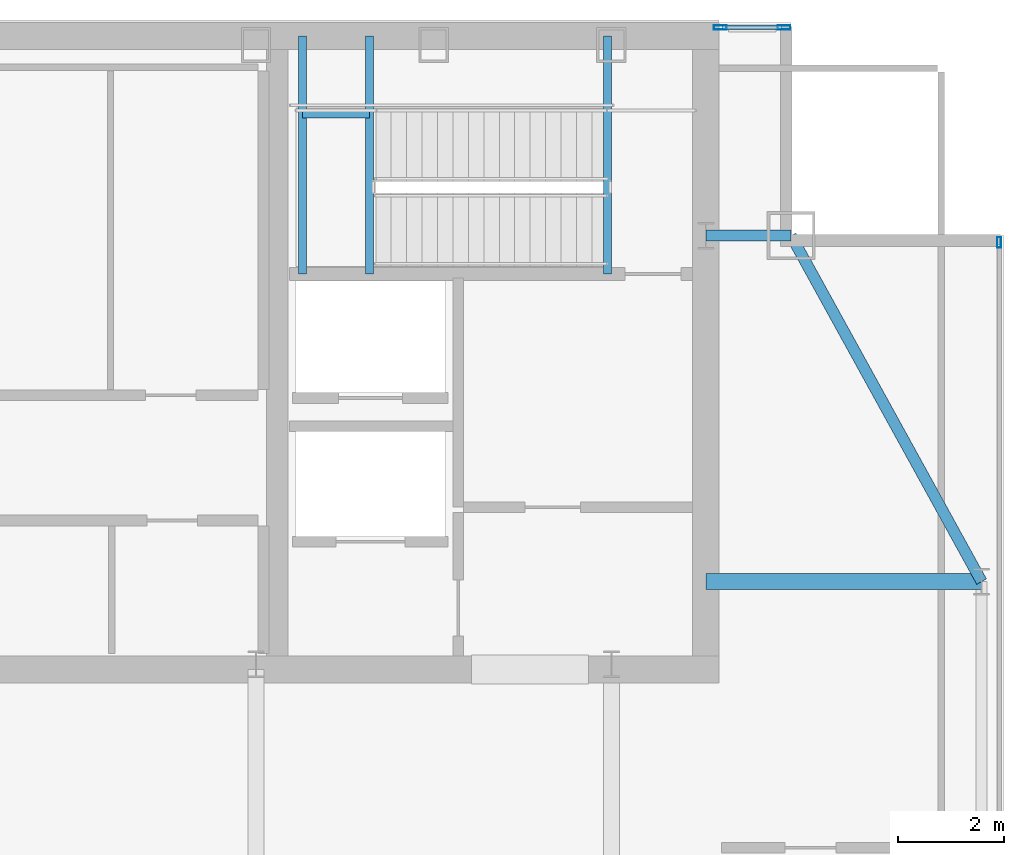
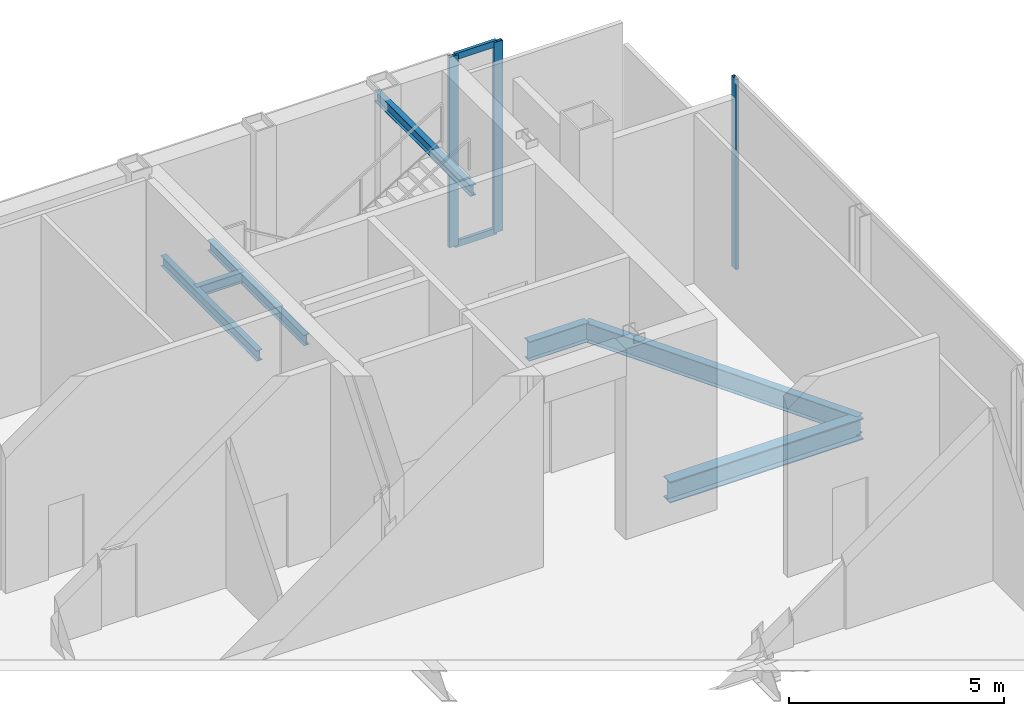
# One storey, part 18 of 23: 7 beams, 5 members, 2 elements without a shape of their own.
"""IFC4 building model written with IfcOpenShell, lengths in metres."""

from ifc_helpers import new_model, si_unit, direction, frame, origin, origin_2d, place, context, subcontext, project, spatial, hollow_rectangle, i_section, extrude, material, material_profile, profile_set, type_object, element, aggregate, save


model = new_model("IFC4")

# Units and contexts
model_context = context("Model", 3, precision=1e-05, world=origin(), true_north=direction((0.0, 1.0)))
body_context = subcontext(model_context, "Body", "Model", "MODEL_VIEW")
ifc_project = project(units=[si_unit("LENGTHUNIT", "METRE"), si_unit("AREAUNIT", "SQUARE_METRE"), si_unit("VOLUMEUNIT", "CUBIC_METRE"), si_unit("PLANEANGLEUNIT", "RADIAN"), si_unit("MASSUNIT", "GRAM", prefix="KILO")], contexts=[model_context])

# Site, building, storey
site_placement = place(None, origin())
site = spatial("IfcSite", under=ifc_project, at=site_placement, CompositionType="ELEMENT")
building_placement = place(site_placement, origin())
building = spatial("IfcBuilding", under=site, at=building_placement, Name="Khoronbel Lancet Exchange", CompositionType="ELEMENT")
storey_placement = place(building_placement, frame((0.0, 0.0, 356.199951171875)))
storey = spatial("IfcBuildingStorey", under=building, at=storey_placement, Name="L92", CompositionType="ELEMENT", Elevation=356.199951171875)

# Beams
ifc_material_1 = material(Name="Steel S355", Category="steel")
ifc_material_profile_1 = material_profile(ifc_material_1, i_section(OverallWidth=0.300048828125, OverallDepth=0.60009765625, WebThickness=0.015380859375, FlangeThickness=0.030029296875, at=origin_2d()), Name="HEB 600")
ifc_profile_set_1 = profile_set([ifc_material_profile_1], Name="Steel S355")
beam_type_1 = type_object("IfcBeamType", Name="BM-BG5", PredefinedType="BEAM", material=ifc_profile_set_1)
beam_1_placement = place(storey_placement, frame((56.449951171875, 43.199951171875, -0.5), z_axis=(1.0, 0.0, 0.0), x_axis=(0.0, 1.0, 0.0)))
element("IfcBeam", 1, at=beam_1_placement, inside=storey, type_object=beam_type_1, Name="Level L92 east lens tie girder LG3E", PredefinedType="BEAM", context=body_context, shape_type="SweptSolid", body=[
    extrude(i_section(OverallWidth=0.300048828125, OverallDepth=0.60009765625, WebThickness=0.015380859375, FlangeThickness=0.030029296875, at=origin_2d()), origin(), (0.0, 0.0, 1.0), 5.179931640625),
])
ifc_material_profile_2 = material_profile(ifc_material_1, i_section(OverallWidth=0.14990234375, OverallDepth=0.300048828125, WebThickness=0.007080078125, FlangeThickness=0.0107421875, at=origin_2d()), Name="IPE 300")
ifc_profile_set_2 = profile_set([ifc_material_profile_2], Name="Steel S355")
beam_type_2 = type_object("IfcBeamType", Name="BM-BJ8", PredefinedType="JOIST", material=ifc_profile_set_2)
for number, where, z_axis, x_axis, name in (
    (2, (50.1298828125, 48.97998046875, 2.449951171875), (0.0, 1.0, 0.0), (-1.0, 0.0, 0.0), "Level L92 stair ST2 landing bearer beam 1"),
    (3, (48.8701171875, 48.97998046875, 2.449951171875), (0.0, 1.0, 0.0), (-1.0, 0.0, 0.0), "Level L92 stair ST2 rear landing bearer beam 1"),
):
    element("IfcBeam", number, at=place(storey_placement, frame(where, z_axis=z_axis, x_axis=x_axis)), inside=storey, type_object=beam_type_2, Name=name, PredefinedType="JOIST", context=body_context, shape_type="SweptSolid", body=[
        extrude(i_section(OverallWidth=0.14990234375, OverallDepth=0.300048828125, WebThickness=0.007080078125, FlangeThickness=0.0107421875, at=origin_2d()), origin(), (0.0, 0.0, 1.0), 4.469970703125),
    ])
beam_2_placement = place(storey_placement, frame((48.8701171875, 51.97998046875, 2.449951171875), z_axis=(1.0, 0.0, 0.0), x_axis=(0.0, 1.0, 0.0)))
element("IfcBeam", 4, at=beam_2_placement, inside=storey, type_object=beam_type_2, Name="Level L92 stair ST2 landing cross trimmer beam 1", PredefinedType="JOIST", context=body_context, shape_type="SweptSolid", body=[
    extrude(i_section(OverallWidth=0.14990234375, OverallDepth=0.300048828125, WebThickness=0.007080078125, FlangeThickness=0.0107421875, at=origin_2d()), origin(), (0.0, 0.0, 1.0), 1.259765625),
])
beam_3_placement = place(storey_placement, frame((54.60009765625, 48.97998046875, 5.1201171875), z_axis=(0.0, 1.0, 0.0), x_axis=(-1.0, 0.0, 0.0)))
element("IfcBeam", 5, at=beam_3_placement, inside=storey, type_object=beam_type_2, Name="Level L92 stair ST2 upper-flight arrival trimmer beam", PredefinedType="JOIST", context=body_context, shape_type="SweptSolid", body=[
    extrude(i_section(OverallWidth=0.14990234375, OverallDepth=0.300048828125, WebThickness=0.007080078125, FlangeThickness=0.0107421875, at=origin_2d()), origin(), (0.0, 0.0, 1.0), 4.469970703125),
])
ifc_material_profile_3 = material_profile(ifc_material_1, i_section(OverallWidth=0.2099609375, OverallDepth=0.550048828125, WebThickness=0.010986328125, FlangeThickness=0.01708984375, at=origin_2d()), Name="IPE 550")
ifc_profile_set_3 = profile_set([ifc_material_profile_3], Name="Steel S355")
beam_type_3 = type_object("IfcBeamType", Name="BM-BSP3", PredefinedType="SPANDREL", material=ifc_profile_set_3)
beam_4_placement = place(storey_placement, frame((61.6298828125, 43.199951171875, -0.474853515625), z_axis=(-0.482418808117, 0.875940690672, 0.0), x_axis=(-0.875940690672, -0.482418808117, 0.0)))
element("IfcBeam", 6, at=beam_4_placement, inside=storey, type_object=beam_type_3, Name="Level L92 perimeter spandrel beam SP13", PredefinedType="SPANDREL", context=body_context, shape_type="SweptSolid", body=[
    extrude(i_section(OverallWidth=0.2099609375, OverallDepth=0.550048828125, WebThickness=0.010986328125, FlangeThickness=0.01708984375, at=origin_2d()), origin(), (0.0, 0.0, 1.0), 7.420654296875),
])
beam_5_placement = place(storey_placement, frame((58.050048828125, 49.699951171875, -0.474853515625), z_axis=(-1.0, 0.0, 0.0), x_axis=(0.0, -1.0, 0.0)))
element("IfcBeam", 7, at=beam_5_placement, inside=storey, type_object=beam_type_3, Name="Level L92 north flank tie spandrel SP21", PredefinedType="SPANDREL", context=body_context, shape_type="SweptSolid", body=[
    extrude(i_section(OverallWidth=0.2099609375, OverallDepth=0.550048828125, WebThickness=0.010986328125, FlangeThickness=0.01708984375, at=origin_2d()), origin(), (0.0, 0.0, 1.0), 1.60009765625),
])

# Curtain wall, members
ifc_material_2 = material(Name="Low-E Solar Control Insulating Glass", Category="glass")
curtain_wall_type = type_object("IfcCurtainWallType", Name="CW-6", PredefinedType="NOTDEFINED", material=ifc_material_2)
curtain_wall_1_placement = place(storey_placement, origin())
curtain_wall_1 = element("IfcCurtainWall", 8, at=curtain_wall_1_placement, inside=storey, type_object=curtain_wall_type, Name="Unitised curtain wall CW-L92-NEFLK", PredefinedType="NOTDEFINED")
ifc_material_3 = material(Name="Bronze-Anodised Aluminium 6063-T6", Category="aluminium")
ifc_material_profile_4 = material_profile(ifc_material_3, hollow_rectangle(XDim=0.0849609375, YDim=0.239990234375, WallThickness=0.006103515625, at=origin_2d()), Name="ALU MULLION 85x240")
ifc_profile_set_4 = profile_set([ifc_material_profile_4], Name="Bronze-Anodised Aluminium 6063-T6")
member_type_1 = type_object("IfcMemberType", Name="MEM-CWM1", PredefinedType="MULLION", material=ifc_profile_set_4)
member_1_placement = place(storey_placement, frame((57.91748046875, 53.610107421875, 0.0), z_axis=(0.0, 0.0, 1.0), x_axis=(0.0, -1.0, 0.0)))
member_1 = element("IfcMember", 9, at=member_1_placement, type_object=member_type_1, Name="CW6 mullion 1", PredefinedType="MULLION", context=body_context, shape_type="SweptSolid", body=[
    extrude(hollow_rectangle(XDim=0.0849609375, YDim=0.239990234375, WallThickness=0.006103515625, at=origin_2d()), origin(), (0.0, 0.0, 1.0), 5.400146484375),
])
member_2_placement = place(storey_placement, frame((56.722412109375, 53.610107421875, 0.0), z_axis=(0.0, 0.0, 1.0), x_axis=(0.0, -1.0, 0.0)))
member_2 = element("IfcMember", 10, at=member_2_placement, type_object=member_type_1, Name="CW6 mullion 2", PredefinedType="MULLION", context=body_context, shape_type="SweptSolid", body=[
    extrude(hollow_rectangle(XDim=0.0849609375, YDim=0.239990234375, WallThickness=0.006103515625, at=origin_2d()), origin(), (0.0, 0.0, 1.0), 5.400146484375),
])

# Curtain wall, member
curtain_wall_2_placement = place(storey_placement, origin())
curtain_wall_2 = element("IfcCurtainWall", 11, at=curtain_wall_2_placement, inside=storey, type_object=curtain_wall_type, Name="Unitised curtain wall CW-L92-E09", PredefinedType="NOTDEFINED")
ifc_material_profile_5 = material_profile(ifc_material_3, hollow_rectangle(XDim=0.074951171875, YDim=0.199951171875, WallThickness=0.0048828125, at=origin_2d()), Name="ALU MULLION 75x200")
ifc_profile_set_5 = profile_set([ifc_material_profile_5], Name="Bronze-Anodised Aluminium 6063-T6")
member_type_2 = type_object("IfcMemberType", Name="MEM-CWM2", PredefinedType="MULLION", material=ifc_profile_set_5)
member_3_placement = place(storey_placement, frame((61.9599609375, 49.572509765625, 0.0), z_axis=(0.0, 0.0, 1.0), x_axis=(1.0, 0.0, 0.0)))
member_3 = element("IfcMember", 12, at=member_3_placement, type_object=member_type_2, Name="CW6 mullion 1", PredefinedType="MULLION", context=body_context, shape_type="SweptSolid", body=[
    extrude(hollow_rectangle(XDim=0.074951171875, YDim=0.199951171875, WallThickness=0.0048828125, at=origin_2d()), origin(), (0.0, 0.0, 1.0), 5.400146484375),
])
aggregate(curtain_wall_2, [member_3])

# Member
ifc_material_profile_6 = material_profile(ifc_material_3, hollow_rectangle(XDim=0.0849609375, YDim=0.179931640625, WallThickness=0.0048828125, at=origin_2d()), Name="ALU TRANSOM 85x180")
ifc_profile_set_6 = profile_set([ifc_material_profile_6], Name="Bronze-Anodised Aluminium 6063-T6")
member_type_3 = type_object("IfcMemberType", Name="MEM-CWT1", PredefinedType="USERDEFINED", material=ifc_profile_set_6)
member_4_placement = place(storey_placement, frame((57.875, 53.610107421875, 0.04248046875), z_axis=(-1.0, 0.0, 0.0), x_axis=(0.0, -1.0, 0.0)))
member_4 = element("IfcMember", 13, at=member_4_placement, type_object=member_type_3, Name="CW6 transom 1.1", ObjectType="TRANSOM", PredefinedType="USERDEFINED", context=body_context, shape_type="SweptSolid", body=[
    extrude(hollow_rectangle(XDim=0.0849609375, YDim=0.179931640625, WallThickness=0.0048828125, at=origin_2d()), origin(), (0.0, 0.0, 1.0), 1.110107421875),
])

member_5_placement = place(storey_placement, frame((57.875, 53.610107421875, 5.357666015625), z_axis=(-1.0, 0.0, 0.0), x_axis=(0.0, -1.0, 0.0)))
member_5 = element("IfcMember", 14, at=member_5_placement, type_object=member_type_3, Name="CW6 transom 1.2", ObjectType="TRANSOM", PredefinedType="USERDEFINED", context=body_context, shape_type="SweptSolid", body=[
    extrude(hollow_rectangle(XDim=0.0849609375, YDim=0.179931640625, WallThickness=0.0048828125, at=origin_2d()), origin(), (0.0, 0.0, 1.0), 1.110107421875),
])

aggregate(curtain_wall_1, [member_1, member_2, member_4, member_5])

save(model, "model.ifc")
